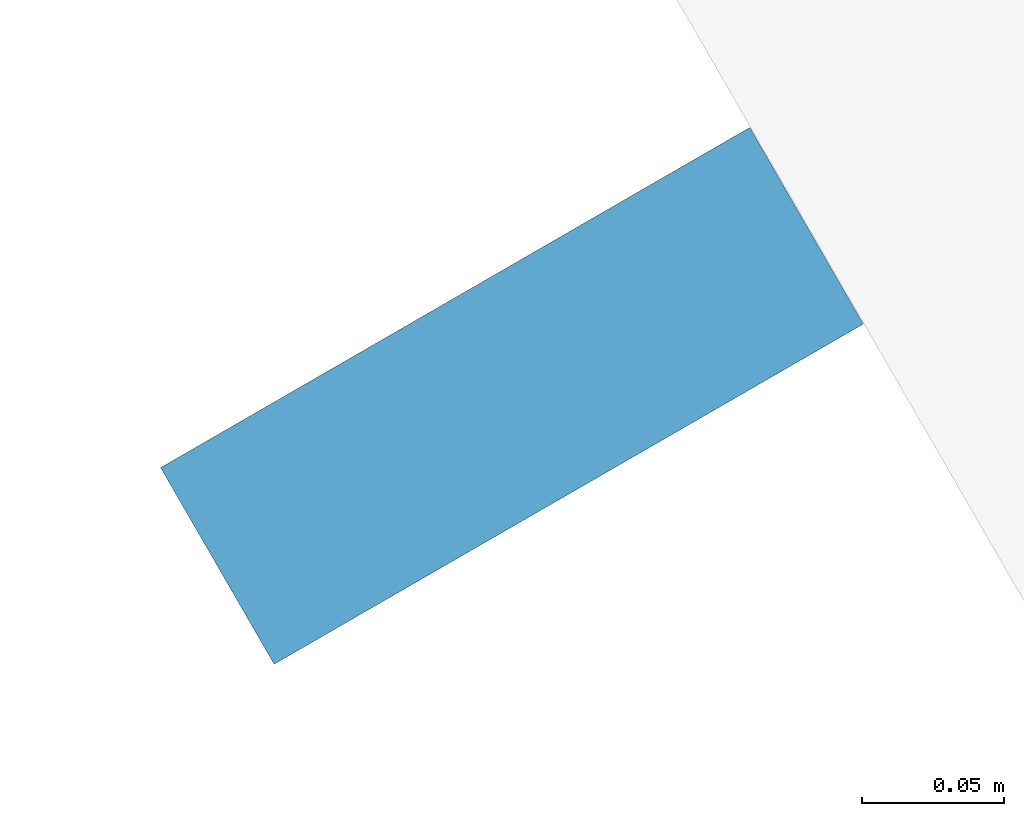
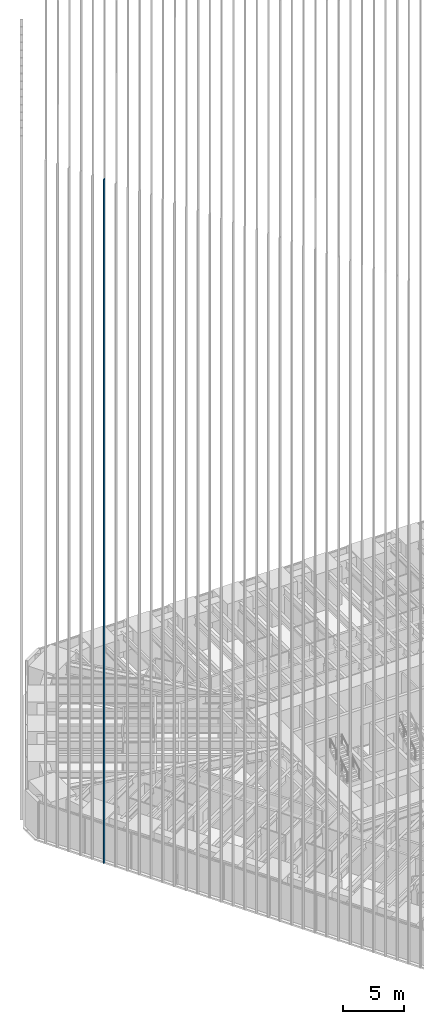
# One storey, part 62 of 256: 1 member, 1 element without a shape of its own.
"""IFC4 building model written with IfcOpenShell, lengths in metres."""

from ifc_helpers import new_model, si_unit, direction, frame, origin, origin_2d, place, context, subcontext, project, spatial, rectangle, extrude, material, material_profile, profile_set, type_object, element, aggregate, save


model = new_model("IFC4")

# Units and contexts
model_context = context("Model", 3, precision=1e-05, world=origin(), true_north=direction((0.0, 1.0)))
body_context = subcontext(model_context, "Body", "Model", "MODEL_VIEW")
ifc_project = project(units=[si_unit("LENGTHUNIT", "METRE"), si_unit("AREAUNIT", "SQUARE_METRE"), si_unit("VOLUMEUNIT", "CUBIC_METRE"), si_unit("PLANEANGLEUNIT", "RADIAN"), si_unit("MASSUNIT", "GRAM", prefix="KILO")], contexts=[model_context])

# Site, building, storey
site_placement = place(None, origin())
site = spatial("IfcSite", under=ifc_project, at=site_placement, CompositionType="ELEMENT")
building_placement = place(site_placement, origin())
building = spatial("IfcBuilding", under=site, at=building_placement, Name="Sandreach Pilgrim Tower", CompositionType="ELEMENT")
storey_placement = place(building_placement, frame((0.0, 0.0, 23.0)))
storey = spatial("IfcBuildingStorey", under=building, at=storey_placement, Name="L04", CompositionType="ELEMENT", Elevation=23.0)

# Curtain wall, member
ifc_material_1 = material(Name="Aluminium framed curtain wall", Category="aluminium")
curtain_wall_type = type_object("IfcCurtainWallType", Name="Hostel tower curtain wall", PredefinedType="NOTDEFINED", material=ifc_material_1)
curtain_wall_placement = place(storey_placement, origin())
curtain_wall = element("IfcCurtainWall", 1, at=curtain_wall_placement, inside=storey, type_object=curtain_wall_type, Name="CW-1 L04 SW", PredefinedType="NOTDEFINED")
ifc_material_2 = material(Name="Extruded terracotta on aluminium core", Category="masonry")
ifc_material_profile = material_profile(ifc_material_2, rectangle(XDim=0.080078125, YDim=0.239990234375, at=origin_2d()), Name="TBW 80X240")
ifc_profile_set = profile_set([ifc_material_profile], Name="Extruded terracotta on aluminium core")
member_type = type_object("IfcMemberType", Name="Terracotta baguette west", PredefinedType="USERDEFINED", material=ifc_profile_set)
member_placement = place(storey_placement, frame((-27.7421875, -0.686767578125, 0.0), z_axis=(0.0, 0.0, 1.0), x_axis=(-0.5, 0.866025403784, 0.0)))
member = element("IfcMember", 2, at=member_placement, type_object=member_type, Name="Baguette Z1 SW30", ObjectType="BAGUETTE", PredefinedType="USERDEFINED", context=body_context, shape_type="SweptSolid", body=[
    extrude(rectangle(XDim=0.080078125, YDim=0.239990234375, at=origin_2d()), origin(), (0.0, 0.0, 1.0), 68.239990234375),
])
aggregate(curtain_wall, [member])

save(model, "model.ifc")
